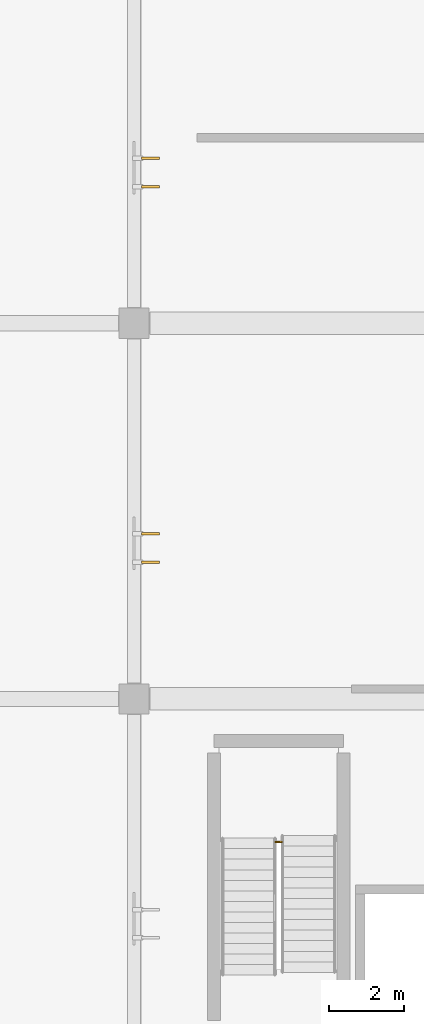
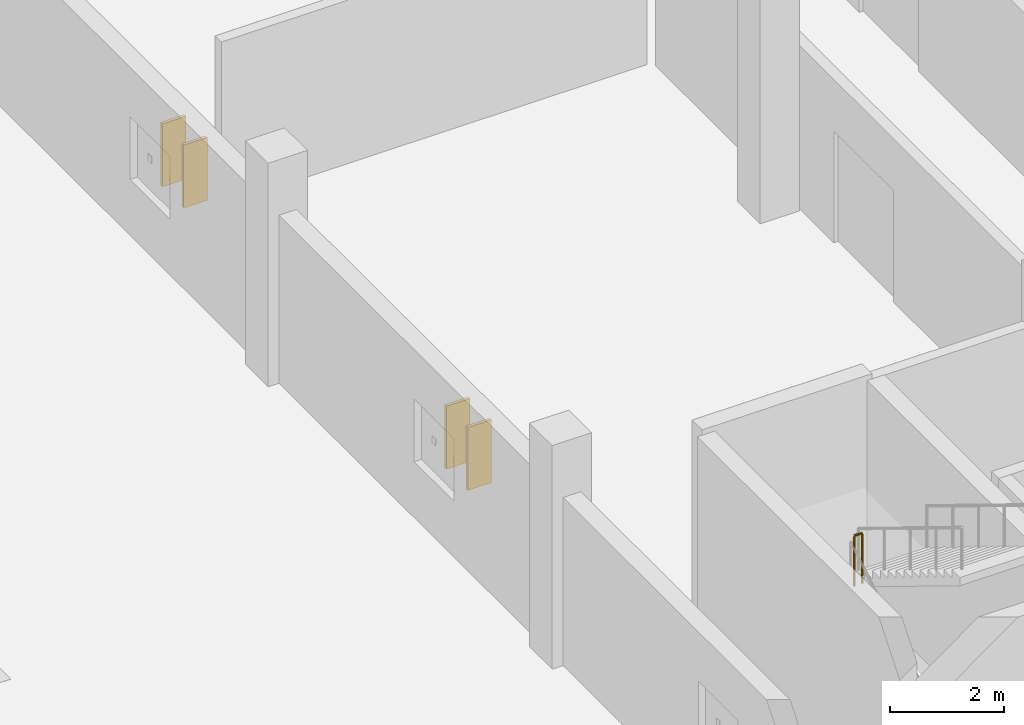
# One storey, part 151 of 179: 4 shading devices, 1 railing.
"""IFC4 building model written with IfcOpenShell, lengths in metres."""

from ifc_helpers import new_model, si_unit, direction, frame, origin, origin_2d, place, context, subcontext, project, spatial, rectangle, circle, extrude, material, layer, layer_set, type_object, element, save


model = new_model("IFC4")

# Units and contexts
model_context = context("Model", 3, precision=1e-05, world=origin(), true_north=direction((0.0, 1.0)))
body_context = subcontext(model_context, "Body", "Model", "MODEL_VIEW")
ifc_project = project(units=[si_unit("LENGTHUNIT", "METRE"), si_unit("AREAUNIT", "SQUARE_METRE"), si_unit("VOLUMEUNIT", "CUBIC_METRE"), si_unit("PLANEANGLEUNIT", "RADIAN"), si_unit("MASSUNIT", "GRAM", prefix="KILO")], contexts=[model_context])

# Site, building, storey
site_placement = place(None, origin())
site = spatial("IfcSite", under=ifc_project, at=site_placement, CompositionType="ELEMENT")
building_placement = place(site_placement, origin())
building = spatial("IfcBuilding", under=site, at=building_placement, Name="Corvandel Quay Wholesale Market", CompositionType="ELEMENT")
storey_placement = place(building_placement, frame((0.0, 0.0, 6.0)))
storey = spatial("IfcBuildingStorey", under=building, at=storey_placement, Name="L01", CompositionType="ELEMENT", Elevation=6.0)

# Railing
ifc_material_1 = material(Name="Painted galvanised tubular steel", Category="steel")
ifc_layer = layer(ifc_material_1, 0.054931640625)
ifc_layer_set = layer_set([ifc_layer], Name="Painted galvanised tubular steel")
railing_type = type_object("IfcRailingType", Name="Stairwell Inner Guard Railing GR02 1100mm", PredefinedType="GUARDRAIL", material=ifc_layer_set)
railing_placement = place(storey_placement, frame((23.77001953125, 36.18994140625, 2.39990234375)))
element("IfcRailing", 1, at=railing_placement, inside=storey, type_object=railing_type, Name="Stair Landing Well Guard 0106", PredefinedType="GUARDRAIL", context=body_context, shape_type="SweptSolid", body=[
    extrude(circle(Radius=0.02392578125, at=origin_2d()), frame((0.0, 0.0, 1.076171875), z_axis=(1.0, 0.0, 0.0), x_axis=(0.0, 1.0, 0.0)), (0.0, 0.0, 1.0), 0.159912109375),
    extrude(circle(Radius=0.02099609375, at=origin_2d()), origin(), (0.0, 0.0, 1.0), 1.052001953125),
    extrude(circle(Radius=0.02099609375, at=origin_2d()), frame((0.159912109375, 0.0, 0.0)), (0.0, 0.0, 1.0), 1.052001953125),
])

# Shading devices
ifc_material_2 = material(Name="Bronze anodised extruded aluminium 6063-T6", Category="aluminium")
shading_device_type = type_object("IfcShadingDeviceType", Name="Vertical Anodised Bronze Solar Fin FN01 480mm", PredefinedType="JALOUSIE", material=ifc_material_2)
for number, where, z_axis, x_axis, name in (
    (2, (20.43994140625, 43.639892578125, 1.199951171875), (0.0, 0.0, 1.0), (1.0, 0.0, 0.0), "Solar Fin 0536"),
    (3, (20.43994140625, 44.389892578125, 1.199951171875), (0.0, 0.0, 1.0), (1.0, 0.0, 0.0), "Solar Fin 0537"),
    (4, (20.43994140625, 53.639892578125, 1.199951171875), (0.0, 0.0, 1.0), (1.0, 0.0, 0.0), "Solar Fin 0541"),
    (5, (20.43994140625, 54.389892578125, 1.199951171875), (0.0, 0.0, 1.0), (1.0, 0.0, 0.0), "Solar Fin 0542"),
):
    element("IfcShadingDevice", number, at=place(storey_placement, frame(where, z_axis=z_axis, x_axis=x_axis)), inside=storey, type_object=shading_device_type, Name=name, PredefinedType="JALOUSIE", context=body_context, shape_type="SweptSolid", body=[
        extrude(rectangle(XDim=0.47998046875, YDim=0.06494140625, at=origin_2d()), origin(), (0.0, 0.0, 1.0), 1.35009765625),
    ])

save(model, "model.ifc")
